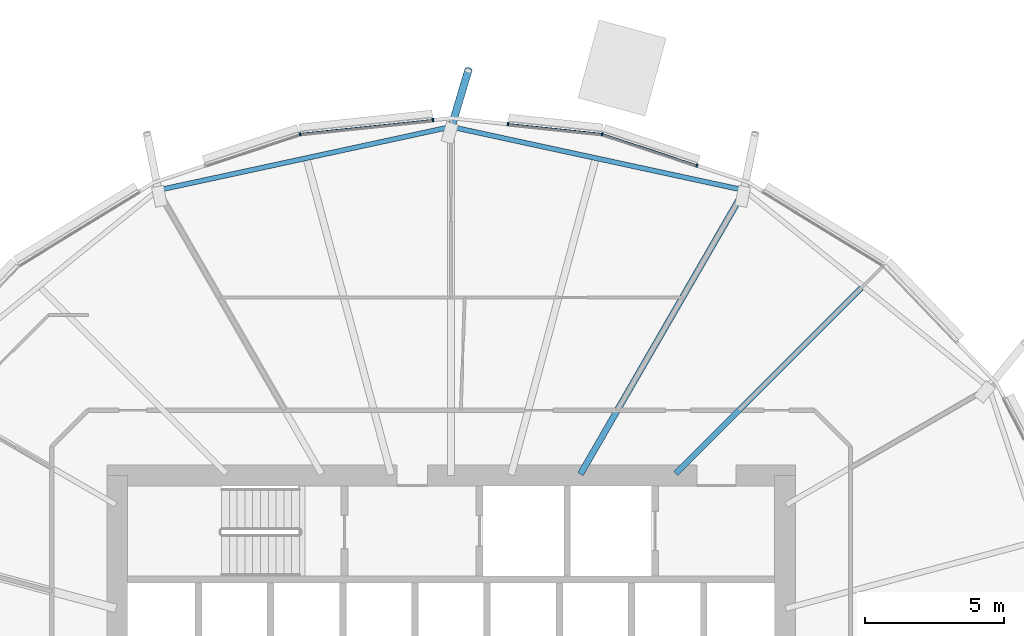
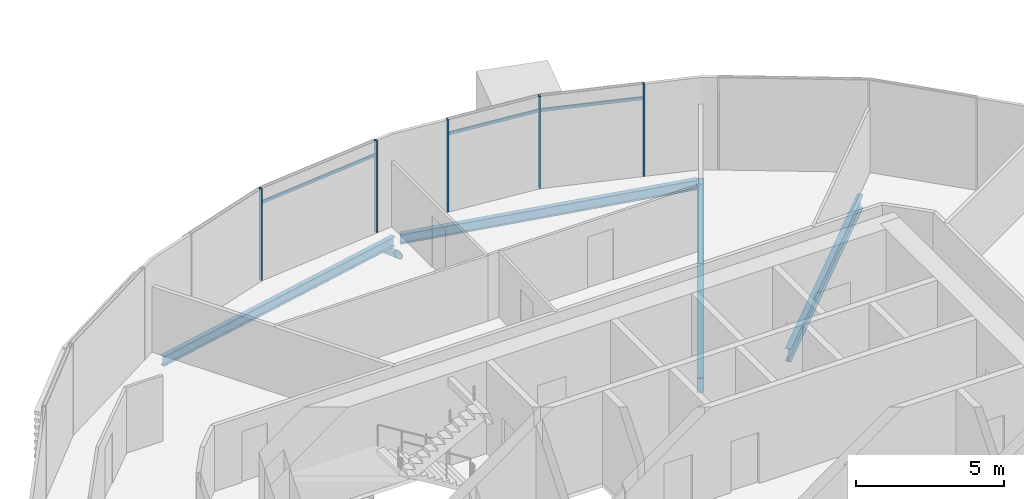
# One storey, part 10 of 38: 9 members, 4 beams, 1 element without a shape of its own.
"""IFC4 building model written with IfcOpenShell, lengths in metres."""

from ifc_helpers import new_model, si_unit, direction, frame, origin, origin_2d, place, context, subcontext, project, spatial, rectangle, hollow_circle, i_section, extrude, clip, halfspace, material, material_profile, profile_set, type_object, element, aggregate, save


model = new_model("IFC4")

# Units and contexts
model_context = context("Model", 3, precision=1e-05, world=origin(), true_north=direction((0.0, 1.0)))
body_context = subcontext(model_context, "Body", "Model", "MODEL_VIEW")
ifc_project = project(units=[si_unit("LENGTHUNIT", "METRE"), si_unit("AREAUNIT", "SQUARE_METRE"), si_unit("VOLUMEUNIT", "CUBIC_METRE"), si_unit("PLANEANGLEUNIT", "RADIAN"), si_unit("MASSUNIT", "GRAM", prefix="KILO")], contexts=[model_context])

# Site, building, storey
site_placement = place(None, origin())
site = spatial("IfcSite", under=ifc_project, at=site_placement, CompositionType="ELEMENT")
building_placement = place(site_placement, origin())
building = spatial("IfcBuilding", under=site, at=building_placement, Name="Rimbun Link Towers", CompositionType="ELEMENT")
storey_placement = place(building_placement, frame((0.0, 0.0, 108.199951171875)))
storey = spatial("IfcBuildingStorey", under=building, at=storey_placement, Name="L26", CompositionType="ELEMENT", Elevation=108.199951171875)

# Curtain wall, members
ifc_material_1 = material(Name="Aluminium 6063-T6 and low-iron glass", Category="aluminium")
curtain_wall_type = type_object("IfcCurtainWallType", Name="CW1-Z2 unitised vision wall (zone 2)", PredefinedType="NOTDEFINED", material=ifc_material_1)
curtain_wall_placement = place(storey_placement, origin())
curtain_wall = element("IfcCurtainWall", 1, at=curtain_wall_placement, inside=storey, type_object=curtain_wall_type, Name="CW1 L26 T1", PredefinedType="NOTDEFINED")
ifc_material_2 = material(Name="Aluminium 6063-T6", Category="aluminium")
ifc_material_profile_1 = material_profile(ifc_material_2, rectangle(XDim=0.1201171875, YDim=0.06005859375, at=origin_2d()), Name="MULLION 60X120")
ifc_profile_set_1 = profile_set([ifc_material_profile_1], Name="Aluminium 6063-T6")
member_type_1 = type_object("IfcMemberType", Name="CW1 mullion 60X120", PredefinedType="MULLION", material=ifc_profile_set_1)
member_1_placement = place(storey_placement, frame((-26.320068359375, 20.276123046875, 0.0), z_axis=(0.0, 0.0, 1.0), x_axis=(0.210864978702, 0.9775151972, 0.0)))
member_1 = element("IfcMember", 2, at=member_1_placement, type_object=member_type_1, Name="CW1 mullion", PredefinedType="MULLION", context=body_context, shape_type="SweptSolid", body=[
    extrude(rectangle(XDim=0.1201171875, YDim=0.06005859375, at=origin_2d()), origin(), (0.0, 0.0, 1.0), 3.800048828125),
])
member_2_placement = place(storey_placement, frame((-22.9140625, 19.14794921875, 0.0), z_axis=(0.0, 0.0, 1.0), x_axis=(0.314562268358, 0.949236840481, 0.0)))
member_2 = element("IfcMember", 3, at=member_2_placement, type_object=member_type_1, Name="CW1 mullion", PredefinedType="MULLION", context=body_context, shape_type="SweptSolid", body=[
    extrude(rectangle(XDim=0.1201171875, YDim=0.06005859375, at=origin_2d()), origin(), (0.0, 0.0, 1.0), 3.800048828125),
])
member_3_placement = place(storey_placement, frame((-29.705078125, 20.633056640625, 0.0), z_axis=(0.0, 0.0, 1.0), x_axis=(0.104731609524, 0.994500522859, 0.0)))
member_3 = element("IfcMember", 4, at=member_3_placement, type_object=member_type_1, Name="CW1 mullion", PredefinedType="MULLION", context=body_context, shape_type="SweptSolid", body=[
    extrude(rectangle(XDim=0.1201171875, YDim=0.06005859375, at=origin_2d()), origin(), (0.0, 0.0, 1.0), 3.800048828125),
])
member_4_placement = place(storey_placement, frame((-37.179931640625, 20.276123046875, 0.0), z_axis=(0.0, 0.0, 1.0), x_axis=(-0.210864978702, 0.9775151972, 0.0)))
member_4 = element("IfcMember", 5, at=member_4_placement, type_object=member_type_1, Name="CW1 mullion", PredefinedType="MULLION", context=body_context, shape_type="SweptSolid", body=[
    extrude(rectangle(XDim=0.1201171875, YDim=0.06005859375, at=origin_2d()), origin(), (0.0, 0.0, 1.0), 3.800048828125),
])
member_5_placement = place(storey_placement, frame((-32.402587890625, 20.779541015625, 0.0), z_axis=(0.0, 0.0, 1.0), x_axis=(-0.104731609524, 0.994500522859, 0.0)))
member_5 = element("IfcMember", 6, at=member_5_placement, type_object=member_type_1, Name="CW1 mullion", PredefinedType="MULLION", context=body_context, shape_type="SweptSolid", body=[
    extrude(rectangle(XDim=0.1201171875, YDim=0.06005859375, at=origin_2d()), origin(), (0.0, 0.0, 1.0), 3.800048828125),
])
ifc_material_3 = material(Name="Aluminium 6063-T6", Category="aluminium")
ifc_material_profile_2 = material_profile(ifc_material_3, rectangle(XDim=0.06005859375, YDim=0.1201171875, at=origin_2d()), Name="TRANSOM 60X120")
ifc_profile_set_2 = profile_set([ifc_material_profile_2], Name="Aluminium 6063-T6")
member_type_2 = type_object("IfcMemberType", Name="CW1 transom 60X120", PredefinedType="USERDEFINED", material=ifc_profile_set_2)
member_6_placement = place(storey_placement, frame((-26.285888671875, 20.26318359375, 3.199951171875), z_axis=(0.949215797743, -0.31462576073, 0.0), x_axis=(0.31462576073, 0.949215797743, 0.0)))
member_6 = element("IfcMember", 7, at=member_6_placement, type_object=member_type_2, Name="CW1 transom", ObjectType="TRANSOM", PredefinedType="USERDEFINED", context=body_context, shape_type="SweptSolid", body=[
    extrude(rectangle(XDim=0.06005859375, YDim=0.1201171875, at=origin_2d()), origin(), (0.0, 0.0, 1.0), 3.521240234375),
])
member_7_placement = place(storey_placement, frame((-29.67529296875, 20.6279296875, 3.199951171875), z_axis=(0.99449743279, -0.104760947753, 0.0), x_axis=(0.104760947753, 0.99449743279, 0.0)))
member_7 = element("IfcMember", 8, at=member_7_placement, type_object=member_type_2, Name="CW1 transom", ObjectType="TRANSOM", PredefinedType="USERDEFINED", context=body_context, shape_type="SweptSolid", body=[
    extrude(rectangle(XDim=0.06005859375, YDim=0.1201171875, at=origin_2d()), origin(), (0.0, 0.0, 1.0), 3.337158203125),
])
member_8_placement = place(storey_placement, frame((-37.1435546875, 20.2783203125, 3.199951171875), z_axis=(0.994501498721, 0.104722342613, 0.0), x_axis=(-0.104722342613, 0.994501498721, 0.0)))
member_8 = element("IfcMember", 9, at=member_8_placement, type_object=member_type_2, Name="CW1 transom", ObjectType="TRANSOM", PredefinedType="USERDEFINED", context=body_context, shape_type="SweptSolid", body=[
    extrude(rectangle(XDim=0.06005859375, YDim=0.1201171875, at=origin_2d()), origin(), (0.0, 0.0, 1.0), 4.7373046875),
])
aggregate(curtain_wall, [member_1, member_2, member_3, member_4, member_5, member_6, member_7, member_8])

# Member
ifc_material_4 = material(Name="Steel S355J2H", Category="steel")
ifc_material_profile_3 = material_profile(ifc_material_4, hollow_circle(Radius=0.136474609375, WallThickness=0.012451171875, at=origin_2d()), Name="CHS 273x12.5")
ifc_profile_set_3 = profile_set([ifc_material_profile_3], Name="Steel S355J2H")
member_type_3 = type_object("IfcMemberType", Name="Floor edge link CHS 273x12.5", PredefinedType="BRACE", material=ifc_profile_set_3)
member_9_placement = place(storey_placement, frame((-31.75, 20.486572265625, -0.9619140625), z_axis=(0.248801418602, 0.834959059716, -0.490857639953), x_axis=(-0.958357350305, 0.285571688227, 0.0)))
element("IfcMember", 10, at=member_9_placement, inside=storey, type_object=member_type_3, Name="Floor edge link T1 L26 06", PredefinedType="BRACE", context=body_context, shape_type="Clipping", body=[
    clip(extrude(hollow_circle(Radius=0.136474609375, WallThickness=0.012451171875, at=origin_2d()), frame((0.0, 0.0, -0.5048828125)), (0.0, 0.0, 1.0), 3.03857421875), halfspace(frame((0.0, 0.0, -0.2373046875), z_axis=(0.0, 0.871239793226, -0.490857639953)), False)),
])

# Beams
ifc_material_5 = material(Name="Steel S355J2", Category="steel")
ifc_material_profile_4 = material_profile(ifc_material_5, i_section(OverallWidth=0.177978515625, OverallDepth=0.406494140625, WebThickness=0.0078125, FlangeThickness=0.0126953125, at=origin_2d()), Name="UB 406x178x60")
ifc_profile_set_4 = profile_set([ifc_material_profile_4], Name="Steel S355J2")
beam_type_1 = type_object("IfcBeamType", Name="UB 406x178x60", PredefinedType="BEAM", material=ifc_profile_set_4)
for number, where, z_axis, x_axis, name in (
    (11, (-21.327392578125, 18.281982421875, -0.363037109375), (-0.977392162379, 0.211434531048, 0.0), (-0.211434531048, -0.977392162379, 0.0), "Edge beam T1 L26 04-06"),
    (12, (-31.877685546875, 20.509033203125, -0.363037109375), (-0.977392162379, -0.211434531048, 0.0), (0.211434531048, -0.977392162379, 0.0), "Edge beam T1 L26 06-08"),
):
    element("IfcBeam", number, at=place(storey_placement, frame(where, z_axis=z_axis, x_axis=x_axis)), inside=storey, type_object=beam_type_1, Name=name, PredefinedType="BEAM", context=body_context, shape_type="SweptSolid", body=[
        extrude(i_section(OverallWidth=0.177978515625, OverallDepth=0.406494140625, WebThickness=0.0078125, FlangeThickness=0.0126953125, at=origin_2d()), origin(), (0.0, 0.0, 1.0), 10.532958984375),
    ])
ifc_material_6 = material(Name="Steel S355J2", Category="steel")
ifc_material_profile_5 = material_profile(ifc_material_6, i_section(OverallWidth=0.209228515625, OverallDepth=0.533203125, WebThickness=0.010009765625, FlangeThickness=0.015625, at=origin_2d()), Name="UB 533x210x92")
ifc_profile_set_5 = profile_set([ifc_material_profile_5], Name="Steel S355J2")
beam_type_2 = type_object("IfcBeamType", Name="UB 533x210x92", PredefinedType="BEAM", material=ifc_profile_set_5)
beam_1_placement = place(storey_placement, frame((-23.67529296875, 8.07470703125, -0.426513671875), z_axis=(0.707106781187, 0.707106781187, 0.0), x_axis=(-0.707106781187, 0.707106781187, 0.0)))
element("IfcBeam", 13, at=beam_1_placement, inside=storey, type_object=beam_type_2, Name="Radial beam T1 L26 03", PredefinedType="BEAM", context=body_context, shape_type="SweptSolid", body=[
    extrude(i_section(OverallWidth=0.209228515625, OverallDepth=0.533203125, WebThickness=0.010009765625, FlangeThickness=0.015625, at=origin_2d()), origin(), (0.0, 0.0, 1.0), 9.433349609375),
])
ifc_material_7 = material(Name="Steel S355J2", Category="steel")
ifc_material_profile_6 = material_profile(ifc_material_7, i_section(OverallWidth=0.2275390625, OverallDepth=0.6025390625, WebThickness=0.010498046875, FlangeThickness=0.014892578125, at=origin_2d()), Name="UB 610x229x101")
ifc_profile_set_6 = profile_set([ifc_material_profile_6], Name="Steel S355J2")
beam_type_3 = type_object("IfcBeamType", Name="UB 610x229x101", PredefinedType="BEAM", material=ifc_profile_set_6)
beam_2_placement = place(storey_placement, frame((-27.097900390625, 8.057861328125, -0.461181640625), z_axis=(0.500005398586, 0.866022286887, 0.0), x_axis=(-0.866022286887, 0.500005398586, 0.0)))
element("IfcBeam", 14, at=beam_2_placement, inside=storey, type_object=beam_type_3, Name="Radial beam T1 L26 04", PredefinedType="BEAM", context=body_context, shape_type="SweptSolid", body=[
    extrude(i_section(OverallWidth=0.2275390625, OverallDepth=0.6025390625, WebThickness=0.010498046875, FlangeThickness=0.014892578125, at=origin_2d()), origin(), (0.0, 0.0, 1.0), 11.776123046875),
])

save(model, "model.ifc")
